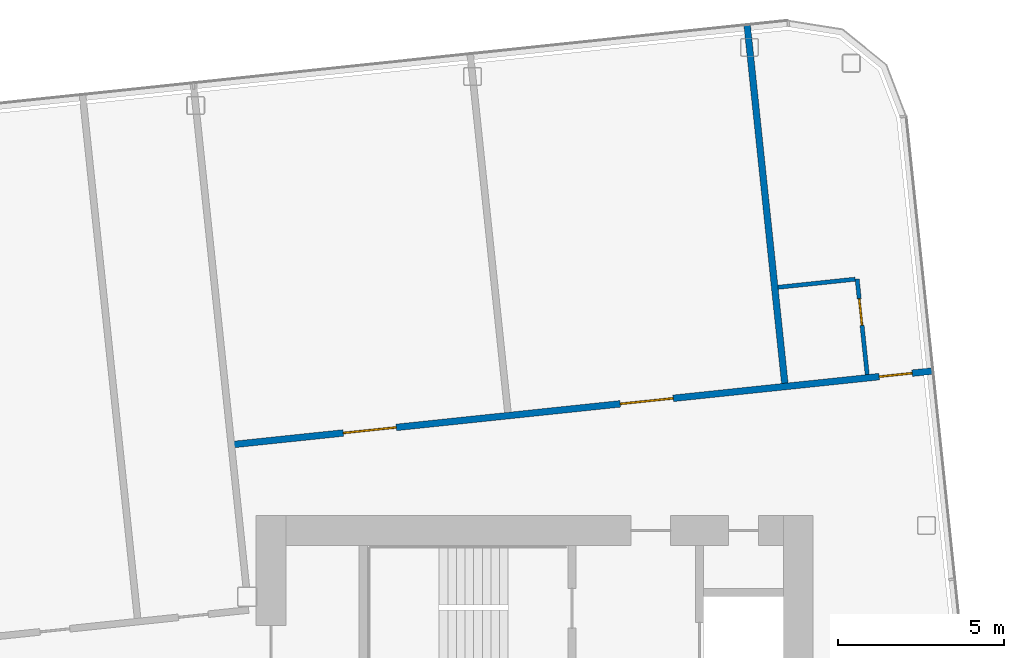
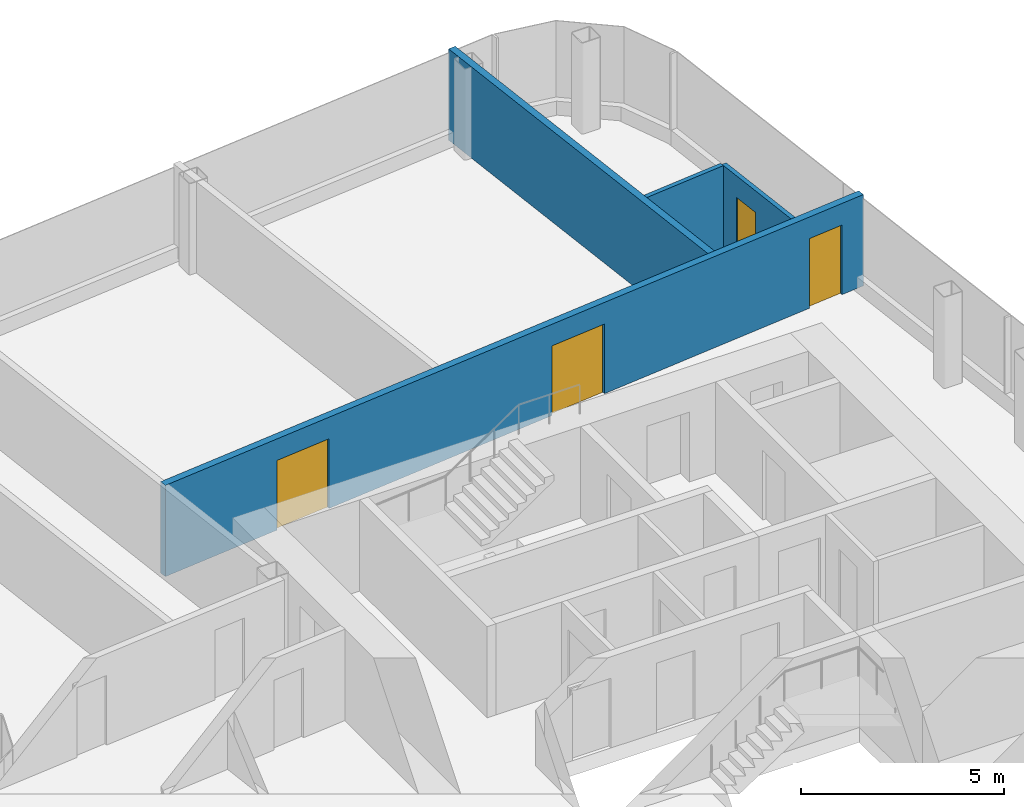
# One storey, part 18 of 27: 4 doors, 4 walls, 4 openings.
"""IFC4 building model written with IfcOpenShell, lengths in metres."""

from ifc_helpers import new_model, si_unit, direction, frame, frame_2d, origin, place, context, subcontext, project, spatial, rectangle, extrude, material, layer, layer_set, type_object, element, fill, save


model = new_model("IFC4")

# Units and contexts
model_context = context("Model", 3, precision=1e-05, world=origin(), true_north=direction((0.0, 1.0)))
body_context = subcontext(model_context, "Body", "Model", "MODEL_VIEW")
ifc_project = project(units=[si_unit("LENGTHUNIT", "METRE"), si_unit("AREAUNIT", "SQUARE_METRE"), si_unit("VOLUMEUNIT", "CUBIC_METRE"), si_unit("PLANEANGLEUNIT", "RADIAN"), si_unit("MASSUNIT", "GRAM", prefix="KILO")], contexts=[model_context])

# Site, building, storey
site_placement = place(None, origin())
site = spatial("IfcSite", under=ifc_project, at=site_placement, CompositionType="ELEMENT")
building_placement = place(site_placement, origin())
building = spatial("IfcBuilding", under=site, at=building_placement, Name="Hakoniwa Tower and Hamabe Station Hall", CompositionType="ELEMENT")
storey_placement = place(building_placement, frame((0.0, 0.0, 261.39990234375)))
storey = spatial("IfcBuildingStorey", under=building, at=storey_placement, Name="L74", CompositionType="ELEMENT", Elevation=261.39990234375)

# Wall
ifc_material_1 = material(Name="Gypsum board partition", Category="gypsum")
ifc_layer_1 = layer(ifc_material_1, 0.125)
ifc_layer_set_1 = layer_set([ifc_layer_1], Name="Bathroom Partition 125")
wall_type_1 = type_object("IfcWallType", Name="Bathroom Partition 125", PredefinedType="PARTITIONING", material=ifc_layer_set_1)
wall_1_placement = place(storey_placement, frame((32.5419921875, 15.283203125, 0.0), z_axis=(0.0, 0.0, 1.0), x_axis=(0.994519751088, 0.104548862722, 0.0)))
element("IfcWall", 1, at=wall_1_placement, inside=storey, type_object=wall_type_1, Name="GW-L74-011", PredefinedType="PARTITIONING", context=body_context, shape_type="SweptSolid", body=[
    extrude(rectangle(XDim=2.33740234375, YDim=0.125, at=frame_2d((1.168701171875, 0.0))), origin(), (0.0, 0.0, 1.0), 2.75),
])

# Wall, opening, door
wall_2_placement = place(storey_placement, frame((35.23193359375, 12.64990234375, 0.0), z_axis=(0.0, 0.0, 1.0), x_axis=(-0.104470059912, 0.994528032074, 0.0)))
wall_2 = element("IfcWall", 2, at=wall_2_placement, inside=storey, type_object=wall_type_1, Name="GW-L74-049", PredefinedType="PARTITIONING", context=body_context, shape_type="SweptSolid", body=[
    extrude(rectangle(XDim=2.900146484375, YDim=0.125, at=frame_2d((1.4501953125, 0.0))), origin(), (0.0, 0.0, 1.0), 2.75),
])
opening_1_placement = place(wall_2_placement, frame((1.5, 0.0, 0.0)))
opening_1 = element("IfcOpeningElement", 3, at=opening_1_placement, cuts=wall_2, Name="Opening GD-G5D1-35", PredefinedType="OPENING", context=body_context, shape_type="SweptSolid", body=[
    extrude(rectangle(XDim=0.800048828125, YDim=2.10009765625, at=frame_2d((0.39990234375, 1.050048828125))), frame((0.0, 0.072509765625, 0.0), z_axis=(0.0, -1.0, 0.0), x_axis=(1.0, 0.0, 0.0)), (0.0, 0.0, 1.0), 0.14501953125),
])
ifc_material_2 = material(Name="Timber door leaf", Category="wood")
door_type_1 = type_object("IfcDoorType", Name="Bathroom Door 800", OperationType="SINGLE_SWING_LEFT", PredefinedType="DOOR", material=ifc_material_2)
door_1_placement = place(opening_1_placement, origin())
door_1 = element("IfcDoor", 4, at=door_1_placement, inside=storey, type_object=door_type_1, Name="Door GD-G5D1-35", OperationType="SINGLE_SWING_LEFT", OverallHeight=2.10009765625, OverallWidth=0.800048828125, PredefinedType="DOOR", context=body_context, shape_type="SweptSolid", body=[
    extrude(rectangle(XDim=0.800048828125, YDim=2.10009765625, at=frame_2d((0.39990234375, 1.050048828125))), frame((0.0, 0.02490234375, 0.0), z_axis=(0.0, -1.0, 0.0), x_axis=(1.0, 0.0, 0.0)), (0.0, 0.0, 1.0), 0.050048828125),
])
fill(opening_1, door_1)

# Wall, openings, doors
ifc_material_3 = material(Name="Fire-rated gypsum board partition", Category="gypsum")
ifc_layer_2 = layer(ifc_material_3, 0.199951171875)
ifc_layer_set_2 = layer_set([ifc_layer_2], Name="Corridor Wall 200")
wall_type_2 = type_object("IfcWallType", Name="Corridor Wall 200", PredefinedType="PARTITIONING", material=ifc_layer_set_2)
wall_3_placement = place(storey_placement, frame((16.04833984375, 10.533203125, 0.0), z_axis=(0.0, 0.0, 1.0), x_axis=(0.994522460242, 0.104523088709, 0.0)))
wall_3 = element("IfcWall", 5, at=wall_3_placement, inside=storey, type_object=wall_type_2, Name="GW-L74-010", PredefinedType="PARTITIONING", context=body_context, shape_type="SweptSolid", body=[
    extrude(rectangle(XDim=21.2998046875, YDim=0.199951171875, at=frame_2d((10.64990234375, 0.0))), origin(), (0.0, 0.0, 1.0), 2.75),
])
opening_2_placement = place(wall_3_placement, frame((3.39990234375, 0.0, 0.0)))
opening_2 = element("IfcOpeningElement", 6, at=opening_2_placement, cuts=wall_3, Name="Opening GD-G5D1-22", PredefinedType="OPENING", context=body_context, shape_type="SweptSolid", body=[
    extrude(rectangle(XDim=1.60009765625, YDim=2.10009765625, at=frame_2d((0.800048828125, 1.050048828125))), frame((0.0, 0.10986328125, 0.0), z_axis=(0.0, -1.0, 0.0), x_axis=(1.0, 0.0, 0.0)), (0.0, 0.0, 1.0), 0.219970703125),
])
opening_3_placement = place(wall_3_placement, frame((11.800048828125, 0.0, 0.0)))
opening_3 = element("IfcOpeningElement", 7, at=opening_3_placement, cuts=wall_3, Name="Opening GD-G5D1-23", PredefinedType="OPENING", context=body_context, shape_type="SweptSolid", body=[
    extrude(rectangle(XDim=1.60009765625, YDim=2.10009765625, at=frame_2d((0.800048828125, 1.050048828125))), frame((0.0, 0.10986328125, 0.0), z_axis=(0.0, -1.0, 0.0), x_axis=(1.0, 0.0, 0.0)), (0.0, 0.0, 1.0), 0.219970703125),
])
opening_4_placement = place(wall_3_placement, frame((19.64990234375, 0.0, 0.0)))
opening_4 = element("IfcOpeningElement", 8, at=opening_4_placement, cuts=wall_3, Name="Opening GD-G5D1-24", PredefinedType="OPENING", context=body_context, shape_type="SweptSolid", body=[
    extrude(rectangle(XDim=1.0, YDim=2.10009765625, at=frame_2d((0.5, 1.050048828125))), frame((0.0, 0.10986328125, 0.0), z_axis=(0.0, -1.0, 0.0), x_axis=(1.0, 0.0, 0.0)), (0.0, 0.0, 1.0), 0.219970703125),
])
ifc_material_4 = material(Name="Timber door leaf", Category="wood")
door_type_2 = type_object("IfcDoorType", Name="Double Door 1600", OperationType="DOUBLE_DOOR_SINGLE_SWING", PredefinedType="DOOR", material=ifc_material_4)
door_2_placement = place(opening_2_placement, origin())
door_2 = element("IfcDoor", 9, at=door_2_placement, inside=storey, type_object=door_type_2, Name="Door GD-G5D1-22", OperationType="DOUBLE_DOOR_SINGLE_SWING", OverallHeight=2.10009765625, OverallWidth=1.60009765625, PredefinedType="DOOR", context=body_context, shape_type="SweptSolid", body=[
    extrude(rectangle(XDim=1.60009765625, YDim=2.10009765625, at=frame_2d((0.800048828125, 1.050048828125))), frame((0.0, 0.02490234375, 0.0), z_axis=(0.0, -1.0, 0.0), x_axis=(1.0, 0.0, 0.0)), (0.0, 0.0, 1.0), 0.050048828125),
])
fill(opening_2, door_2)
door_3_placement = place(opening_3_placement, origin())
door_3 = element("IfcDoor", 10, at=door_3_placement, inside=storey, type_object=door_type_2, Name="Door GD-G5D1-23", OperationType="DOUBLE_DOOR_SINGLE_SWING", OverallHeight=2.10009765625, OverallWidth=1.60009765625, PredefinedType="DOOR", context=body_context, shape_type="SweptSolid", body=[
    extrude(rectangle(XDim=1.60009765625, YDim=2.10009765625, at=frame_2d((0.800048828125, 1.050048828125))), frame((0.0, 0.02490234375, 0.0), z_axis=(0.0, -1.0, 0.0), x_axis=(1.0, 0.0, 0.0)), (0.0, 0.0, 1.0), 0.050048828125),
])
fill(opening_3, door_3)
ifc_material_5 = material(Name="Timber door leaf", Category="wood")
door_type_3 = type_object("IfcDoorType", Name="Guest Entrance Door 1000", OperationType="SINGLE_SWING_LEFT", PredefinedType="DOOR", material=ifc_material_5)
door_4_placement = place(opening_4_placement, origin())
door_4 = element("IfcDoor", 11, at=door_4_placement, inside=storey, type_object=door_type_3, Name="Door GD-G5D1-24", OperationType="SINGLE_SWING_RIGHT", OverallHeight=2.10009765625, OverallWidth=1.0, PredefinedType="DOOR", context=body_context, shape_type="SweptSolid", body=[
    extrude(rectangle(XDim=1.0, YDim=2.10009765625, at=frame_2d((0.5, 1.050048828125))), frame((0.0, 0.02490234375, 0.0), z_axis=(0.0, -1.0, 0.0), x_axis=(1.0, 0.0, 0.0)), (0.0, 0.0, 1.0), 0.050048828125),
])
fill(opening_4, door_4)

# Wall
ifc_material_6 = material(Name="Fire-rated gypsum board partition", Category="gypsum")
ifc_layer_3 = layer(ifc_material_6, 0.199951171875)
ifc_layer_set_3 = layer_set([ifc_layer_3], Name="Party Wall 200")
wall_type_3 = type_object("IfcWallType", Name="Party Wall 200", PredefinedType="PARTITIONING", material=ifc_layer_set_3)
wall_4_placement = place(storey_placement, frame((32.745849609375, 12.388671875, 0.0), z_axis=(0.0, 0.0, 1.0), x_axis=(-0.104533048416, 0.994521413439, 0.0)))
element("IfcWall", 12, at=wall_4_placement, inside=storey, type_object=wall_type_3, Name="GW-L74-048", PredefinedType="PARTITIONING", context=body_context, shape_type="SweptSolid", body=[
    extrude(rectangle(XDim=10.88818359375, YDim=0.199951171875, at=frame_2d((5.444091796875, 0.0))), origin(), (0.0, 0.0, 1.0), 2.75),
])

save(model, "model.ifc")
